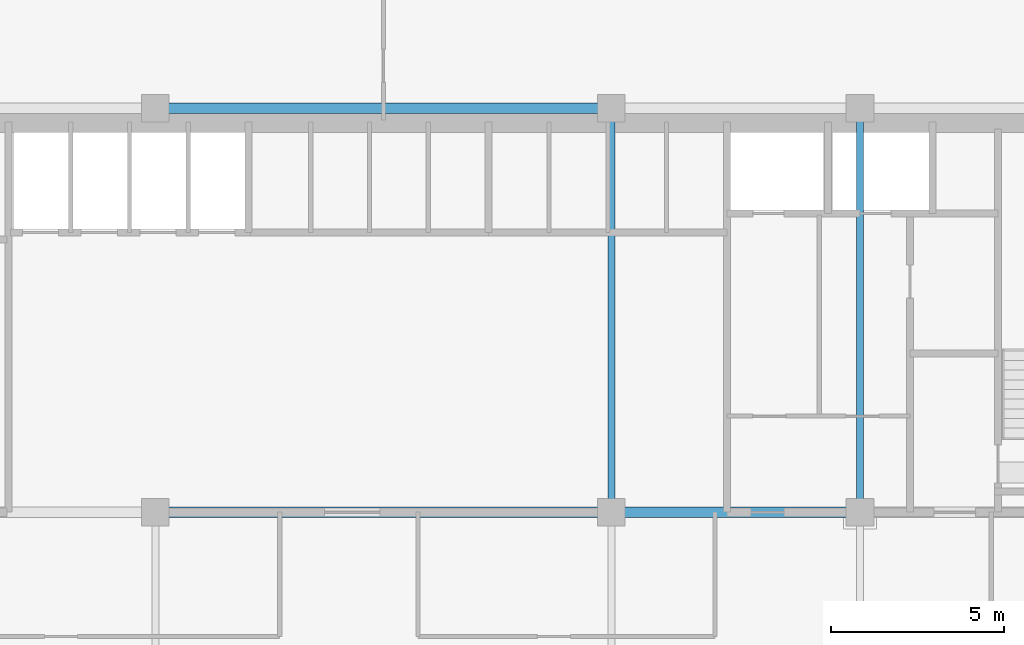
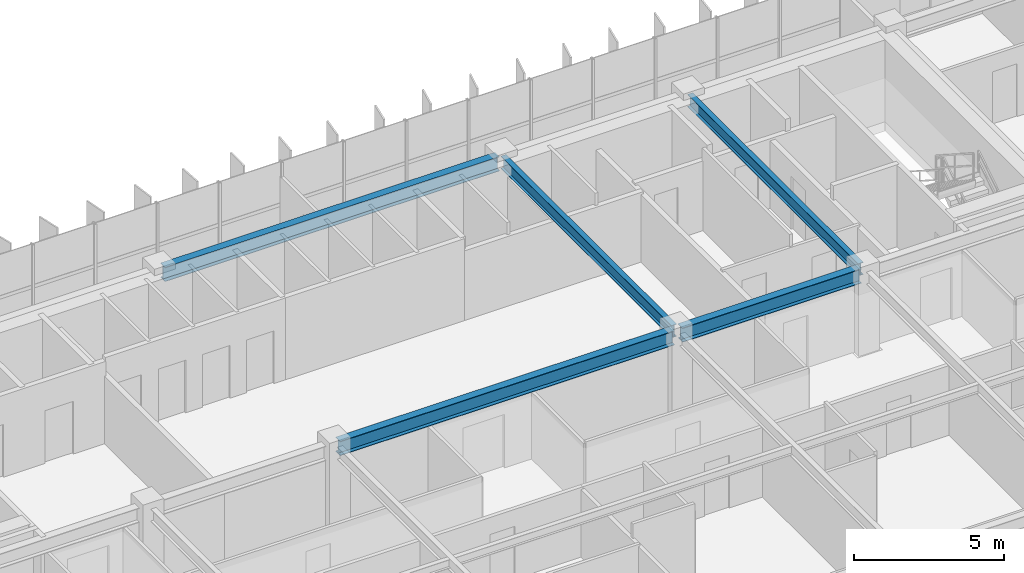
# One storey, part 8 of 22: 5 beams.
"""IFC4 building model written with IfcOpenShell, lengths in metres."""

from ifc_helpers import new_model, si_unit, direction, frame, origin, origin_2d, place, context, subcontext, project, spatial, i_section, extrude, source, transform, mapped, material, material_profile, profile_set, type_object, element, save


model = new_model("IFC4")

# Units and contexts
model_context = context("Model", 3, precision=1e-05, world=origin(), true_north=direction((0.0, 1.0)))
body_context = subcontext(model_context, "Body", "Model", "MODEL_VIEW")
ifc_project = project(units=[si_unit("LENGTHUNIT", "METRE"), si_unit("AREAUNIT", "SQUARE_METRE"), si_unit("VOLUMEUNIT", "CUBIC_METRE"), si_unit("PLANEANGLEUNIT", "RADIAN"), si_unit("MASSUNIT", "GRAM", prefix="KILO")], contexts=[model_context])

# Site, building, storey
site_placement = place(None, origin())
site = spatial("IfcSite", under=ifc_project, at=site_placement, CompositionType="ELEMENT")
building_placement = place(site_placement, origin())
building = spatial("IfcBuilding", under=site, at=building_placement, Name="Trelvane Seafront Commons", CompositionType="ELEMENT")
storey_placement = place(building_placement, frame((0.0, 0.0, 81.699951171875)))
storey = spatial("IfcBuildingStorey", under=building, at=storey_placement, Name="L20", CompositionType="ELEMENT", Elevation=81.699951171875)

# Beams
ifc_material = material(Name="Steel SM355 (S355)", Category="steel")
ifc_material_profile_1 = material_profile(ifc_material, i_section(OverallWidth=0.300048828125, OverallDepth=0.587890625, WebThickness=0.011962890625, FlangeThickness=0.02001953125, at=origin_2d()), Name="H-588x300x12x20")
ifc_profile_set_1 = profile_set([ifc_material_profile_1], Name="Steel SM355 (S355)")
beam_type_1 = type_object("IfcBeamType", Name="STR-BM-H588", PredefinedType="BEAM", material=ifc_profile_set_1)
shared_shape_1 = source(origin(), body_context, "Body", "SweptSolid", [
    extrude(i_section(OverallWidth=0.300048828125, OverallDepth=0.587890625, WebThickness=0.011962890625, FlangeThickness=0.02001953125, at=origin_2d()), origin(), (0.0, 0.0, 1.0), 12.89990234375),
])
for number, where, z_axis, x_axis, name in (
    (1, (30.75, 33.39990234375, 3.046142578125), (1.0, 0.0, 0.0), (0.0, 1.0, 0.0), "L20 Primary Girder G-23"),
    (2, (30.75, 45.10009765625, 3.046142578125), (1.0, 0.0, 0.0), (0.0, 1.0, 0.0), "L20 Primary Girder G-32"),
):
    element("IfcBeam", number, at=place(storey_placement, frame(where, z_axis=z_axis, x_axis=x_axis)), inside=storey, type_object=beam_type_1, Name=name, PredefinedType="BEAM", context=body_context, shape_type="MappedRepresentation", body=[
        mapped(shared_shape_1, transform((0.0, 0.0, 0.0), x_axis=(1.0, 0.0, 0.0), y_axis=(0.0, 1.0, 0.0), z_axis=(0.0, 0.0, 1.0), scale=1.0)),
    ])
shared_shape_2 = source(origin(), body_context, "Body", "SweptSolid", [
    extrude(i_section(OverallWidth=0.300048828125, OverallDepth=0.587890625, WebThickness=0.011962890625, FlangeThickness=0.02001953125, at=origin_2d()), origin(), (0.0, 0.0, 1.0), 6.900146484375),
])
beam_placement = place(storey_placement, frame((43.949951171875, 33.39990234375, 3.046142578125), z_axis=(1.0, 0.0, 0.0), x_axis=(0.0, 1.0, 0.0)))
element("IfcBeam", 3, at=beam_placement, inside=storey, type_object=beam_type_1, Name="L20 Primary Girder G-24", PredefinedType="BEAM", context=body_context, shape_type="MappedRepresentation", body=[
    mapped(shared_shape_2, transform((0.0, 0.0, 0.0), x_axis=(1.0, 0.0, 0.0), y_axis=(0.0, 1.0, 0.0), z_axis=(0.0, 0.0, 1.0), scale=1.0)),
])
ifc_material_profile_2 = material_profile(ifc_material, i_section(OverallWidth=0.199951171875, OverallDepth=0.5, WebThickness=0.010009765625, FlangeThickness=0.01611328125, at=origin_2d()), Name="H-500x200x10x16")
ifc_profile_set_2 = profile_set([ifc_material_profile_2], Name="Steel SM355 (S355)")
beam_type_2 = type_object("IfcBeamType", Name="STR-BM-H500", PredefinedType="BEAM", material=ifc_profile_set_2)
shared_shape_3 = source(origin(), body_context, "Body", "SweptSolid", [
    extrude(i_section(OverallWidth=0.199951171875, OverallDepth=0.5, WebThickness=0.010009765625, FlangeThickness=0.01611328125, at=origin_2d()), origin(), (0.0, 0.0, 1.0), 11.39990234375),
])
for number, where, z_axis, x_axis, name in (
    (4, (43.800048828125, 33.550048828125, 3.090087890625), (0.0, 1.0, 0.0), (-1.0, 0.0, 0.0), "L20 Primary Girder G-54"),
    (5, (51.0, 33.550048828125, 3.090087890625), (0.0, 1.0, 0.0), (-1.0, 0.0, 0.0), "L20 Primary Girder G-57"),
):
    element("IfcBeam", number, at=place(storey_placement, frame(where, z_axis=z_axis, x_axis=x_axis)), inside=storey, type_object=beam_type_2, Name=name, PredefinedType="BEAM", context=body_context, shape_type="MappedRepresentation", body=[
        mapped(shared_shape_3, transform((0.0, 0.0, 0.0), x_axis=(1.0, 0.0, 0.0), y_axis=(0.0, 1.0, 0.0), z_axis=(0.0, 0.0, 1.0), scale=1.0)),
    ])

save(model, "model.ifc")
